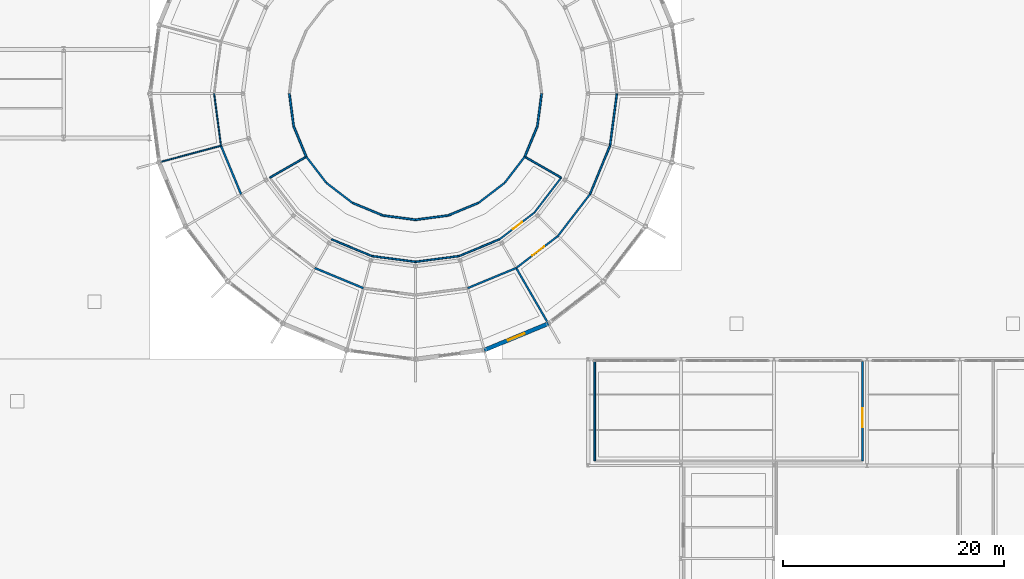
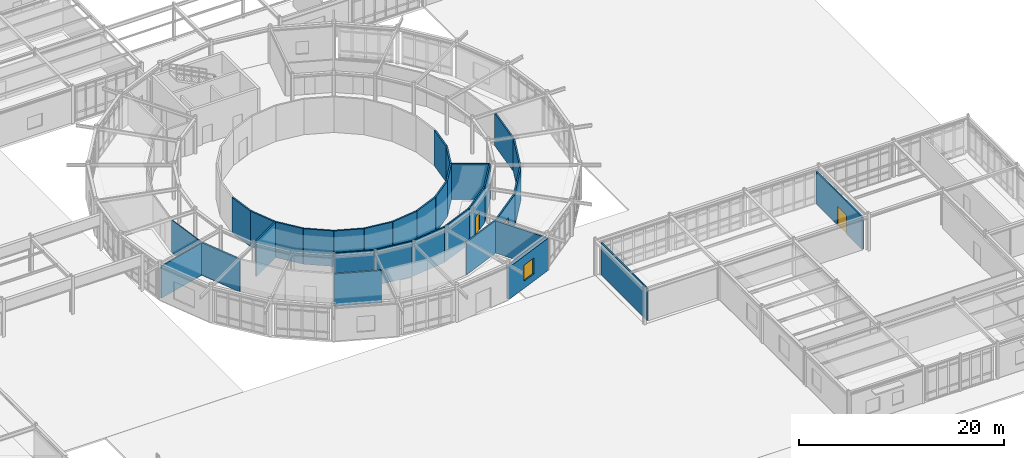
# One storey, part 82 of 101: 33 walls, 3 doors, 1 window, 4 openings.
"""IFC4 building model written with IfcOpenShell, lengths in metres."""

from ifc_helpers import new_model, si_unit, derived_unit, direction, frame, frame_2d, origin, place, context, subcontext, project, spatial, rectangle, extrude, material, layer, layer_set, type_object, element, fill, save


model = new_model("IFC4")

# Units and contexts
model_context = context("Model", 3, precision=1e-05, world=origin(), true_north=direction((0.0, 1.0)))
body_context = subcontext(model_context, "Body", "Model", "MODEL_VIEW")
ifc_project = project(units=[si_unit("LENGTHUNIT", "METRE"), si_unit("AREAUNIT", "SQUARE_METRE"), si_unit("VOLUMEUNIT", "CUBIC_METRE"), si_unit("PLANEANGLEUNIT", "RADIAN"), si_unit("MASSUNIT", "GRAM", prefix="KILO"), derived_unit("THERMALTRANSMITTANCEUNIT", [(si_unit("POWERUNIT", "WATT"), 1), (si_unit("AREAUNIT", "SQUARE_METRE"), -1), (si_unit("THERMODYNAMICTEMPERATUREUNIT", "KELVIN"), -1)])], contexts=[model_context])

# Site, building, storey
site_placement = place(None, origin())
site = spatial("IfcSite", under=ifc_project, at=site_placement, CompositionType="ELEMENT")
building_placement = place(site_placement, origin())
building = spatial("IfcBuilding", under=site, at=building_placement, Name="Yasenodar Specialist Clinic", CompositionType="ELEMENT")
storey_placement = place(building_placement, origin())
storey = spatial("IfcBuildingStorey", under=building, at=storey_placement, Name="L00", CompositionType="ELEMENT", Elevation=0.0)

# Wall, opening, window
ifc_material_1 = material(Name="Drum Insulated Terracotta Chord Wall", Category="masonry")
ifc_layer_1 = layer(ifc_material_1, 0.364990234375)
ifc_layer_set_1 = layer_set([ifc_layer_1], Name="Drum Insulated Terracotta Chord Wall")
wall_type_1 = type_object("IfcWallType", Name="EW-DRUM-365", PredefinedType="SOLIDWALL", material=ifc_layer_set_1)
wall_1_placement = place(storey_placement, frame((93.0, 38.015380859375, 0.0), z_axis=(0.0, 0.0, 1.0), x_axis=(-0.9238876519, -0.382663829839, 0.0)))
wall_1 = element("IfcWall", 1, at=wall_1_placement, inside=storey, type_object=wall_type_1, Name="L00 Exterior Facade Wall 0008", PredefinedType="SOLIDWALL", context=body_context, shape_type="SweptSolid", body=[
    extrude(rectangle(XDim=6.26513671875, YDim=0.364990234375, at=frame_2d((3.132568359375, 0.0))), origin(), (0.0, 0.0, 1.0), 3.837890625),
])
opening_1_placement = place(wall_1_placement, frame((2.33251953125, 0.0, 0.85009765625)))
opening_1 = element("IfcOpeningElement", 2, at=opening_1_placement, cuts=wall_1, Name="Opening W-04", PredefinedType="OPENING", context=body_context, shape_type="SweptSolid", body=[
    extrude(rectangle(XDim=1.60009765625, YDim=1.89990234375, at=frame_2d((0.800048828125, 0.949951171875))), frame((0.0, 0.1923828125, 0.0), z_axis=(0.0, -1.0, 0.0), x_axis=(1.0, 0.0, 0.0)), (0.0, 0.0, 1.0), 0.385009765625),
])
ifc_material_2 = material(Name="Triple Low-E Argon Glazing in Bronze Aluminium Frame", Category="aluminium")
window_type = type_object("IfcWindowType", Name="WIN-EXT-04", PartitioningType="SINGLE_PANEL", PredefinedType="WINDOW", material=ifc_material_2)
window_placement = place(opening_1_placement, origin())
window = element("IfcWindow", 3, at=window_placement, inside=storey, type_object=window_type, Name="L00 Triple-Glazed Reveal Window 0006", OverallHeight=1.89990234375, OverallWidth=1.60009765625, PartitioningType="SINGLE_PANEL", PredefinedType="WINDOW", context=body_context, shape_type="SweptSolid", body=[
    extrude(rectangle(XDim=1.60009765625, YDim=1.89990234375, at=frame_2d((0.800048828125, 0.949951171875))), frame((0.0, 0.030029296875, 0.0), z_axis=(0.0, -1.0, 0.0), x_axis=(1.0, 0.0, 0.0)), (0.0, 0.0, 1.0), 0.06005859375),
])
fill(opening_1, window)

# Wall, opening, door
ifc_material_3 = material(Name="Outpatient Examination Partition")
ifc_layer_2 = layer(ifc_material_3, 0.14990234375)
ifc_layer_set_2 = layer_set([ifc_layer_2], Name="Outpatient Examination Partition")
wall_type_2 = type_object("IfcWallType", Name="IW-CONS-150", PredefinedType="PARTITIONING", material=ifc_layer_set_2)
wall_2_placement = place(storey_placement, frame((91.748046875, 48.052001953125, 0.0), z_axis=(0.0, 0.0, 1.0), x_axis=(-0.79335079014, -0.608764752416, 0.0)))
wall_2 = element("IfcWall", 4, at=wall_2_placement, inside=storey, type_object=wall_type_2, Name="L00 Patient Nutrition and Counseling Room Partition", PredefinedType="PARTITIONING", context=body_context, shape_type="SweptSolid", body=[
    extrude(rectangle(XDim=3.968017578125, YDim=0.14990234375, at=frame_2d((1.98388671875, 0.0))), origin(), (0.0, 0.0, 1.0), 4.22998046875),
])
opening_2_placement = place(wall_2_placement, frame((1.43408203125, 0.0, 0.0)))
opening_2 = element("IfcOpeningElement", 5, at=opening_2_placement, cuts=wall_2, Name="Opening D-03", PredefinedType="OPENING", context=body_context, shape_type="SweptSolid", body=[
    extrude(rectangle(XDim=1.02001953125, YDim=2.14990234375, at=frame_2d((0.510009765625, 1.074951171875))), frame((0.0, 0.0849609375, 0.0), z_axis=(0.0, -1.0, 0.0), x_axis=(1.0, 0.0, 0.0)), (0.0, 0.0, 1.0), 0.169921875),
])
ifc_material_4 = material(Name="Powder-Coated Steel and Acoustic Laminate Leaf", Category="steel")
door_type_1 = type_object("IfcDoorType", Name="DR-CLN-102", OperationType="NOTDEFINED", PredefinedType="DOOR", material=ifc_material_4)
door_1_placement = place(opening_2_placement, origin())
door_1 = element("IfcDoor", 6, at=door_1_placement, inside=storey, type_object=door_type_1, Name="L00 Patient Nutrition and Counseling Room Door", OperationType="SINGLE_SWING_RIGHT", OverallHeight=2.14990234375, OverallWidth=1.02001953125, PredefinedType="DOOR", context=body_context, shape_type="SweptSolid", body=[
    extrude(rectangle(XDim=1.02001953125, YDim=2.14990234375, at=frame_2d((0.510009765625, 1.074951171875))), frame((0.0, 0.02490234375, 0.0), z_axis=(0.0, -1.0, 0.0), x_axis=(1.0, 0.0, 0.0)), (0.0, 0.0, 1.0), 0.050048828125),
])
fill(opening_2, door_1)

# Walls
for number, where, z_axis, x_axis, name in (
    (7, (94.16357421875, 51.199951171875, 0.0), (0.0, 0.0, 1.0), (-0.608764752416, -0.79335079014, 0.0), "L00 Patient Nutrition and Counseling Room Partition"),
    (8, (88.60009765625, 45.636474609375, 0.0), (0.0, 0.0, 1.0), (-0.923875853046, -0.38269231526, 0.0), "L00 Patient Nutrition and Counseling Room Partition"),
    (9, (77.06591796875, 44.117919921875, 0.0), (0.0, 0.0, 1.0), (-0.923875853046, 0.38269231526, 0.0), "L00 Patient Nutrition and Counseling Room Partition"),
    (10, (84.93408203125, 44.117919921875, 0.0), (0.0, 0.0, 1.0), (-0.991448430824, -0.13049907669, 0.0), "L00 Patient Nutrition and Counseling Room Partition"),
    (11, (81.0, 43.60009765625, 0.0), (0.0, 0.0, 1.0), (-0.991448430824, 0.13049907669, 0.0), "L00 Patient Nutrition and Counseling Room Partition"),
):
    element("IfcWall", number, at=place(storey_placement, frame(where, z_axis=z_axis, x_axis=x_axis)), inside=storey, type_object=wall_type_2, Name=name, PredefinedType="PARTITIONING", context=body_context, shape_type="SweptSolid", body=[
        extrude(rectangle(XDim=3.968017578125, YDim=0.14990234375, at=frame_2d((1.98388671875, 0.0))), origin(), (0.0, 0.0, 1.0), 4.22998046875),
    ])
for number, where, z_axis, x_axis, name in (
    (12, (90.9296875, 53.067138671875, 0.0), (0.0, 0.0, 1.0), (0.866013560478, -0.500020512648, 0.0), "L00 Patient Nutrition and Counseling Room Partition"),
    (13, (67.83642578125, 51.199951171875, 0.0), (0.0, 0.0, 1.0), (0.866013560478, 0.500020512648, 0.0), "L00 Patient Nutrition and Counseling Room Partition"),
):
    element("IfcWall", number, at=place(storey_placement, frame(where, z_axis=z_axis, x_axis=x_axis)), inside=storey, type_object=wall_type_2, Name=name, PredefinedType="PARTITIONING", context=body_context, shape_type="SweptSolid", body=[
        extrude(rectangle(XDim=3.734130859375, YDim=0.14990234375, at=frame_2d((1.8671875, 0.0))), origin(), (0.0, 0.0, 1.0), 4.22998046875),
    ])

# Wall, opening, door
ifc_material_5 = material(Name="Acoustic Double-Gypsum Consulting Partition")
ifc_layer_3 = layer(ifc_material_5, 0.159912109375)
ifc_layer_set_3 = layer_set([ifc_layer_3], Name="Acoustic Double-Gypsum Consulting Partition")
wall_type_3 = type_object("IfcWallType", Name="IW-CONS-160", PredefinedType="PARTITIONING", material=ifc_layer_set_3)
wall_3_placement = place(storey_placement, frame((90.115966796875, 43.050537109375, 0.0), z_axis=(0.0, 0.0, 1.0), x_axis=(0.793350477013, 0.608765160487, 0.0)))
wall_3 = element("IfcWall", 14, at=wall_3_placement, inside=storey, type_object=wall_type_3, Name="L00 Immunotherapy Infusion Suite Partition", PredefinedType="PARTITIONING", context=body_context, shape_type="SweptSolid", body=[
    extrude(rectangle(XDim=4.731201171875, YDim=0.159912109375, at=frame_2d((2.36572265625, 0.0))), origin(), (0.0, 0.0, 1.0), 3.867919921875),
])
opening_3_placement = place(wall_3_placement, frame((1.8154296875, 0.0, 0.0)))
opening_3 = element("IfcOpeningElement", 15, at=opening_3_placement, cuts=wall_3, Name="Opening D-11", PredefinedType="OPENING", context=body_context, shape_type="SweptSolid", body=[
    extrude(rectangle(XDim=1.360107421875, YDim=2.199951171875, at=frame_2d((0.68017578125, 1.10009765625))), frame((0.0, 0.08984375, 0.0), z_axis=(0.0, -1.0, 0.0), x_axis=(1.0, 0.0, 0.0)), (0.0, 0.0, 1.0), 0.179931640625),
])
door_type_2 = type_object("IfcDoorType", Name="DR-PLT-136", OperationType="NOTDEFINED", PredefinedType="DOOR", material=ifc_material_4)
door_2_placement = place(opening_3_placement, origin())
door_2 = element("IfcDoor", 16, at=door_2_placement, inside=storey, type_object=door_type_2, Name="L00 Immunotherapy Infusion Suite Door", OperationType="SINGLE_SWING_LEFT", OverallHeight=2.199951171875, OverallWidth=1.360107421875, PredefinedType="DOOR", context=body_context, shape_type="SweptSolid", body=[
    extrude(rectangle(XDim=1.360107421875, YDim=2.199951171875, at=frame_2d((0.68017578125, 1.10009765625))), frame((0.0, 0.02490234375, 0.0), z_axis=(0.0, -1.0, 0.0), x_axis=(1.0, 0.0, 0.0)), (0.0, 0.0, 1.0), 0.050048828125),
])
fill(opening_3, door_2)

# Walls
for number, where, z_axis, x_axis, name in (
    (17, (93.869384765625, 45.9306640625, 0.0), (0.0, 0.0, 1.0), (0.608769147025, 0.793347417989, 0.0), "L00 Immunotherapy Infusion Suite Partition"),
    (18, (96.76171875, 49.699951171875, 0.0), (0.0, 0.0, 1.0), (0.382658877568, 0.923889703059, 0.0), "L00 Immunotherapy Infusion Suite Partition"),
):
    element("IfcWall", number, at=place(storey_placement, frame(where, z_axis=z_axis, x_axis=x_axis)), inside=storey, type_object=wall_type_3, Name=name, PredefinedType="PARTITIONING", context=body_context, shape_type="SweptSolid", body=[
        extrude(rectangle(XDim=4.751220703125, YDim=0.159912109375, at=frame_2d((2.37548828125, 0.0))), origin(), (0.0, 0.0, 1.0), 3.867919921875),
    ])
wall_4_placement = place(storey_placement, frame((98.579833984375, 54.089599609375, 0.0), z_axis=(0.0, 0.0, 1.0), x_axis=(0.130561305543, 0.991440237985, 0.0)))
element("IfcWall", 19, at=wall_4_placement, inside=storey, type_object=wall_type_3, Name="L00 Immunotherapy Infusion Suite Partition", PredefinedType="PARTITIONING", context=body_context, shape_type="SweptSolid", body=[
    extrude(rectangle(XDim=4.73095703125, YDim=0.159912109375, at=frame_2d((2.365478515625, 0.0))), origin(), (0.0, 0.0, 1.0), 3.867919921875),
])

# Wall, opening, door
wall_5_placement = place(storey_placement, frame((121.39990234375, 34.590087890625, 0.0), z_axis=(0.0, 0.0, 1.0), x_axis=(0.0, -1.0, 0.0)))
wall_5 = element("IfcWall", 20, at=wall_5_placement, inside=storey, type_object=wall_type_3, Name="L00 Charbagh Conservatory Concourse Partition", PredefinedType="PARTITIONING", context=body_context, shape_type="SweptSolid", body=[
    extrude(rectangle(XDim=8.989990234375, YDim=0.159912109375, at=frame_2d((4.4951171875, 0.0))), origin(), (0.0, 0.0, 1.0), 3.837890625),
])
opening_4_placement = place(wall_5_placement, frame((4.239990234375, 0.0, 0.0)))
opening_4 = element("IfcOpeningElement", 21, at=opening_4_placement, cuts=wall_5, Name="Opening D-10", PredefinedType="OPENING", context=body_context, shape_type="SweptSolid", body=[
    extrude(rectangle(XDim=1.679931640625, YDim=2.260009765625, at=frame_2d((0.83984375, 1.1298828125))), frame((0.0, 0.08984375, 0.0), z_axis=(0.0, -1.0, 0.0), x_axis=(1.0, 0.0, 0.0)), (0.0, 0.0, 1.0), 0.179931640625),
])
door_type_3 = type_object("IfcDoorType", Name="DR-BED-168", OperationType="DOUBLE_DOOR_SINGLE_SWING", PredefinedType="DOOR", material=ifc_material_4)
door_3_placement = place(opening_4_placement, origin())
door_3 = element("IfcDoor", 22, at=door_3_placement, inside=storey, type_object=door_type_3, Name="L00 Charbagh Conservatory Concourse Door", OperationType="DOUBLE_DOOR_SINGLE_SWING", OverallHeight=2.260009765625, OverallWidth=1.679931640625, PredefinedType="DOOR", context=body_context, shape_type="SweptSolid", body=[
    extrude(rectangle(XDim=1.679931640625, YDim=2.260009765625, at=frame_2d((0.83984375, 1.1298828125))), frame((0.0, 0.02490234375, 0.0), z_axis=(0.0, -1.0, 0.0), x_axis=(1.0, 0.0, 0.0)), (0.0, 0.0, 1.0), 0.050048828125),
])
fill(opening_4, door_3)

# Walls
wall_6_placement = place(storey_placement, frame((97.199951171875, 25.60009765625, 0.0), z_axis=(0.0, 0.0, 1.0), x_axis=(0.0, 1.0, 0.0)))
element("IfcWall", 23, at=wall_6_placement, inside=storey, type_object=wall_type_3, Name="L00 Charbagh Conservatory Concourse Partition", PredefinedType="PARTITIONING", context=body_context, shape_type="SweptSolid", body=[
    extrude(rectangle(XDim=8.989990234375, YDim=0.159912109375, at=frame_2d((4.4951171875, 0.0))), origin(), (0.0, 0.0, 1.0), 3.827880859375),
])
ifc_material_6 = material(Name="Cleanroom Laboratory Partition")
ifc_layer_4 = layer(ifc_material_6, 0.169921875)
ifc_layer_set_4 = layer_set([ifc_layer_4], Name="Cleanroom Laboratory Partition")
wall_type_4 = type_object("IfcWallType", Name="IW-LAB-170", PredefinedType="PARTITIONING", material=ifc_layer_set_4)
for number, where, z_axis, x_axis, name in (
    (24, (90.872802734375, 53.10009765625, 0.0), (0.0, 0.0, 1.0), (-0.608770758953, -0.793346181086, 0.0), "L00 Central Drum Treatment Reception Hall Partition"),
    (25, (72.93896484375, 50.739013671875, 0.0), (0.0, 0.0, 1.0), (-0.608770758953, 0.793346181086, 0.0), "L00 Central Drum Treatment Reception Hall Partition"),
    (26, (89.06103515625, 50.739013671875, 0.0), (0.0, 0.0, 1.0), (-0.793346181086, -0.608770758953, 0.0), "L00 Central Drum Treatment Reception Hall Partition"),
    (27, (75.300048828125, 48.92724609375, 0.0), (0.0, 0.0, 1.0), (-0.793346181086, 0.608770758953, 0.0), "L00 Central Drum Treatment Reception Hall Partition"),
    (28, (86.699951171875, 48.92724609375, 0.0), (0.0, 0.0, 1.0), (-0.923875853046, -0.38269231526, 0.0), "L00 Central Drum Treatment Reception Hall Partition"),
    (29, (78.049560546875, 47.788330078125, 0.0), (0.0, 0.0, 1.0), (-0.923875853046, 0.38269231526, 0.0), "L00 Central Drum Treatment Reception Hall Partition"),
):
    element("IfcWall", number, at=place(storey_placement, frame(where, z_axis=z_axis, x_axis=x_axis)), inside=storey, type_object=wall_type_4, Name=name, PredefinedType="PARTITIONING", context=body_context, shape_type="SweptSolid", body=[
        extrude(rectangle(XDim=2.97607421875, YDim=0.169921875, at=frame_2d((1.488037109375, 0.0))), origin(), (0.0, 0.0, 1.0), 4.22998046875),
    ])
for number, where, z_axis, x_axis, name in (
    (30, (83.950439453125, 47.788330078125, 0.0), (0.0, 0.0, 1.0), (-0.991445078306, -0.130524544442, 0.0), "L00 Central Drum Treatment Reception Hall Partition"),
    (31, (81.0, 47.39990234375, 0.0), (0.0, 0.0, 1.0), (-0.991445078306, 0.130524544442, 0.0), "L00 Central Drum Treatment Reception Hall Partition"),
):
    element("IfcWall", number, at=place(storey_placement, frame(where, z_axis=z_axis, x_axis=x_axis)), inside=storey, type_object=wall_type_4, Name=name, PredefinedType="PARTITIONING", context=body_context, shape_type="SweptSolid", body=[
        extrude(rectangle(XDim=2.975830078125, YDim=0.169921875, at=frame_2d((1.48779296875, 0.0))), origin(), (0.0, 0.0, 1.0), 4.22998046875),
    ])
for number, where, z_axis, x_axis, name in (
    (32, (92.01171875, 55.849609375, 0.0), (0.0, 0.0, 1.0), (-0.38269231526, -0.923875853046, 0.0), "L00 Central Drum Treatment Reception Hall Partition"),
    (33, (71.127197265625, 53.10009765625, 0.0), (0.0, 0.0, 1.0), (-0.38269231526, 0.923875853046, 0.0), "L00 Central Drum Treatment Reception Hall Partition"),
):
    element("IfcWall", number, at=place(storey_placement, frame(where, z_axis=z_axis, x_axis=x_axis)), inside=storey, type_object=wall_type_4, Name=name, PredefinedType="PARTITIONING", context=body_context, shape_type="SweptSolid", body=[
        extrude(rectangle(XDim=2.97607421875, YDim=0.169921875, at=frame_2d((1.488037109375, 0.0))), origin(), (0.0, 0.0, 1.0), 4.22998046875),
    ])
for number, where, z_axis, x_axis, name in (
    (34, (69.98828125, 55.849609375, 0.0), (0.0, 0.0, 1.0), (-0.130443901511, 0.991455691677, 0.0), "L00 Central Drum Treatment Reception Hall Partition"),
    (35, (92.39990234375, 58.800048828125, 0.0), (0.0, 0.0, 1.0), (-0.130443901511, -0.991455691677, 0.0), "L00 Central Drum Treatment Reception Hall Partition"),
):
    element("IfcWall", number, at=place(storey_placement, frame(where, z_axis=z_axis, x_axis=x_axis)), inside=storey, type_object=wall_type_4, Name=name, PredefinedType="PARTITIONING", context=body_context, shape_type="SweptSolid", body=[
        extrude(rectangle(XDim=2.975830078125, YDim=0.169921875, at=frame_2d((1.48779296875, 0.0))), origin(), (0.0, 0.0, 1.0), 4.22998046875),
    ])
wall_7_placement = place(storey_placement, frame((85.71044921875, 41.22021484375, 0.0), z_axis=(0.0, 0.0, 1.0), x_axis=(0.923889703059, 0.382658877568, 0.0)))
element("IfcWall", 36, at=wall_7_placement, inside=storey, type_object=wall_type_4, Name="L00 Infusion Nurse Preparation Station Partition", PredefinedType="PARTITIONING", context=body_context, shape_type="SweptSolid", body=[
    extrude(rectangle(XDim=4.751220703125, YDim=0.169921875, at=frame_2d((2.37548828125, 0.0))), origin(), (0.0, 0.0, 1.0), 3.867919921875),
])
wall_8_placement = place(storey_placement, frame((90.10009765625, 43.038330078125, 0.0), z_axis=(0.0, 0.0, 1.0), x_axis=(0.499987440211, -0.86603265506, 0.0)))
element("IfcWall", 37, at=wall_8_placement, inside=storey, type_object=wall_type_4, Name="L00 Infusion Nurse Preparation Station Partition", PredefinedType="PARTITIONING", context=body_context, shape_type="SweptSolid", body=[
    extrude(rectangle(XDim=5.635986328125, YDim=0.169921875, at=frame_2d((2.81787109375, 0.0))), origin(), (0.0, 0.0, 1.0), 3.837890625),
])
ifc_material_7 = material(Name="Lightweight Counseling Partition")
ifc_layer_5 = layer(ifc_material_7, 0.114990234375)
ifc_layer_set_5 = layer_set([ifc_layer_5], Name="Lightweight Counseling Partition")
wall_type_5 = type_object("IfcWallType", Name="IW-PART-115", PredefinedType="PARTITIONING", material=ifc_layer_set_5)
wall_9_placement = place(storey_placement, frame((62.800048828125, 58.800048828125, 0.0), z_axis=(0.0, 0.0, 1.0), x_axis=(0.130520975042, -0.991445548214, 0.0)))
element("IfcWall", 38, at=wall_9_placement, inside=storey, type_object=wall_type_5, Name="L00 Drum Patient Waiting Lounge Partition", PredefinedType="PARTITIONING", context=body_context, shape_type="SweptSolid", body=[
    extrude(rectangle(XDim=4.7509765625, YDim=0.114990234375, at=frame_2d((2.37548828125, 0.0))), origin(), (0.0, 0.0, 1.0), 3.867919921875),
])
wall_10_placement = place(storey_placement, frame((63.420166015625, 54.089599609375, 0.0), z_axis=(0.0, 0.0, 1.0), x_axis=(-0.965922914043, -0.258829913508, 0.0)))
element("IfcWall", 39, at=wall_10_placement, inside=storey, type_object=wall_type_5, Name="L00 Drum Patient Waiting Lounge Partition", PredefinedType="PARTITIONING", context=body_context, shape_type="SweptSolid", body=[
    extrude(rectangle(XDim=5.635986328125, YDim=0.114990234375, at=frame_2d((2.81787109375, 0.0))), origin(), (0.0, 0.0, 1.0), 3.837890625),
])
ifc_material_8 = material(Name="Hygienic Double-Stud Clinical Partition")
ifc_layer_6 = layer(ifc_material_8, 0.179931640625)
ifc_layer_set_6 = layer_set([ifc_layer_6], Name="Hygienic Double-Stud Clinical Partition")
wall_type_6 = type_object("IfcWallType", Name="IW-PROC-180", PredefinedType="PARTITIONING", material=ifc_layer_set_6)
wall_11_placement = place(storey_placement, frame((71.89990234375, 43.038330078125, 0.0), z_axis=(0.0, 0.0, 1.0), x_axis=(0.923889703059, -0.382658877568, 0.0)))
element("IfcWall", 40, at=wall_11_placement, inside=storey, type_object=wall_type_6, Name="L00 Dialysis Treatment Suite B Partition", PredefinedType="PARTITIONING", context=body_context, shape_type="SweptSolid", body=[
    extrude(rectangle(XDim=4.751220703125, YDim=0.179931640625, at=frame_2d((2.37548828125, 0.0))), origin(), (0.0, 0.0, 1.0), 3.867919921875),
])
wall_12_placement = place(storey_placement, frame((63.427734375, 54.07080078125, 0.0), z_axis=(0.0, 0.0, 1.0), x_axis=(0.382698170162, -0.923873427778, 0.0)))
element("IfcWall", 41, at=wall_12_placement, inside=storey, type_object=wall_type_6, Name="L00 Dialysis Treatment Suite B Partition", PredefinedType="PARTITIONING", context=body_context, shape_type="SweptSolid", body=[
    extrude(rectangle(XDim=4.73095703125, YDim=0.179931640625, at=frame_2d((2.365478515625, 0.0))), origin(), (0.0, 0.0, 1.0), 3.867919921875),
])

save(model, "model.ifc")
